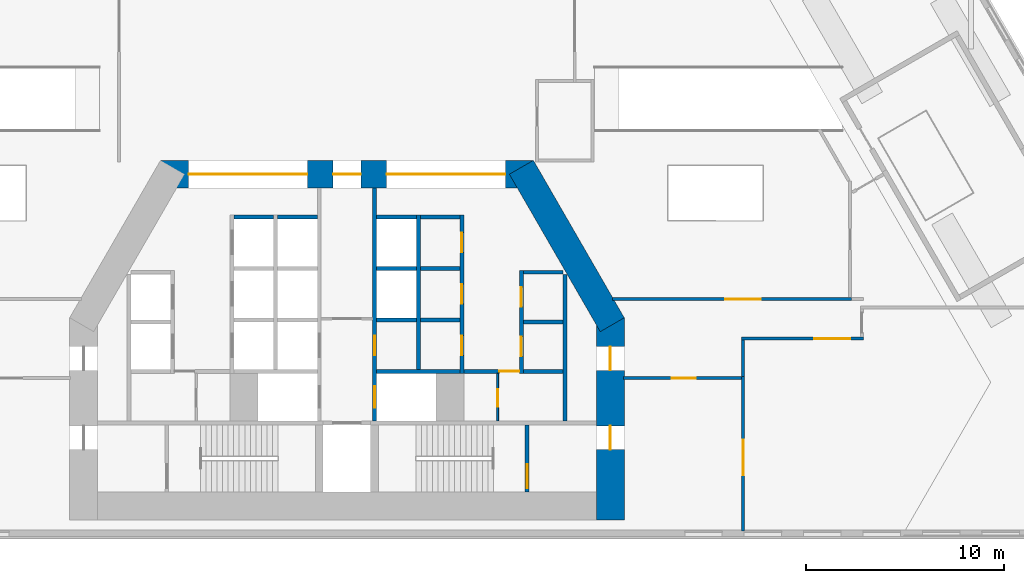
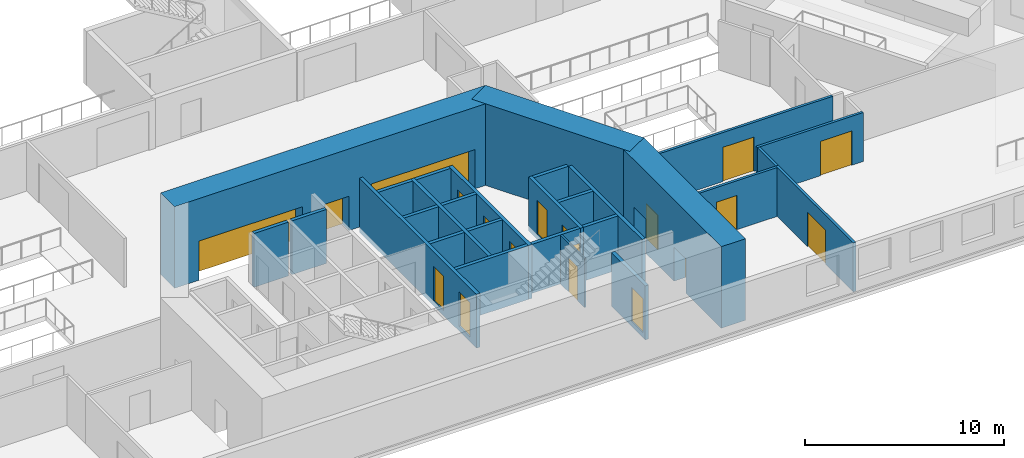
# One storey, part 9 of 19: 28 walls, 19 doors, 19 openings.
"""IFC4 building model written with IfcOpenShell, lengths in metres."""

from ifc_helpers import new_model, si_unit, direction, frame, frame_2d, origin, place, context, subcontext, project, spatial, rectangle, extrude, material, layer, layer_set, type_object, element, fill, save


model = new_model("IFC4")

# Units and contexts
model_context = context("Model", 3, precision=1e-05, world=origin(), true_north=direction((0.0, 1.0)))
body_context = subcontext(model_context, "Body", "Model", "MODEL_VIEW")
ifc_project = project(units=[si_unit("LENGTHUNIT", "METRE"), si_unit("AREAUNIT", "SQUARE_METRE"), si_unit("VOLUMEUNIT", "CUBIC_METRE"), si_unit("PLANEANGLEUNIT", "RADIAN"), si_unit("MASSUNIT", "GRAM", prefix="KILO")], contexts=[model_context])

# Site, building, storey
site_placement = place(None, origin())
site = spatial("IfcSite", under=ifc_project, at=site_placement, CompositionType="ELEMENT")
building_placement = place(site_placement, origin())
building = spatial("IfcBuilding", under=site, at=building_placement, Name="Fogline Exchange Tower", CompositionType="ELEMENT")
storey_placement = place(building_placement, frame((0.0, 0.0, 20.0)))
storey = spatial("IfcBuildingStorey", under=building, at=storey_placement, Name="L03", CompositionType="ELEMENT", Elevation=20.0)

# Wall, opening, door
ifc_material_1 = material(Name="Blockwork partition", Category="masonry")
ifc_layer_1 = layer(ifc_material_1, 0.10009765625)
ifc_layer_set_1 = layer_set([ifc_layer_1], Name="CW10")
wall_type_1 = type_object("IfcWallType", Name="CW10", PredefinedType="PARTITIONING", material=ifc_layer_set_1)
wall_1_placement = place(storey_placement, frame((7.60009765625, 5.85009765625, 0.0), z_axis=(0.0, 0.0, 1.0), x_axis=(0.0, 1.0, 0.0)))
wall_1 = element("IfcWall", 1, at=wall_1_placement, inside=storey, type_object=wall_type_1, Name="WC partition", PredefinedType="PARTITIONING", context=body_context, shape_type="SweptSolid", body=[
    extrude(rectangle(XDim=2.39990234375, YDim=0.10009765625, at=frame_2d((1.199951171875, 0.0))), origin(), (0.0, 0.0, 1.0), 3.0),
])
opening_1_placement = place(wall_1_placement, frame((0.699951171875, 0.0, 0.0)))
opening_1 = element("IfcOpeningElement", 2, at=opening_1_placement, cuts=wall_1, Name="Opening P03-C013", PredefinedType="OPENING", context=body_context, shape_type="SweptSolid", body=[
    extrude(rectangle(XDim=0.89990234375, YDim=2.10009765625, at=frame_2d((0.449951171875, 1.050048828125))), frame((0.0, 0.06005859375, 0.0), z_axis=(0.0, -1.0, 0.0), x_axis=(1.0, 0.0, 0.0)), (0.0, 0.0, 1.0), 0.1201171875),
])
ifc_material_2 = material(Name="Steel and timber fire door", Category="steel")
door_type_1 = type_object("IfcDoorType", Name="D-CS1", OperationType="SINGLE_SWING_RIGHT", PredefinedType="DOOR", material=ifc_material_2)
door_1_placement = place(opening_1_placement, origin())
door_1 = element("IfcDoor", 3, at=door_1_placement, inside=storey, type_object=door_type_1, Name="Door to Cleaner's Store", OperationType="SINGLE_SWING_LEFT", OverallHeight=2.10009765625, OverallWidth=0.89990234375, PredefinedType="DOOR", context=body_context, shape_type="SweptSolid", body=[
    extrude(rectangle(XDim=0.89990234375, YDim=2.10009765625, at=frame_2d((0.449951171875, 1.050048828125))), frame((0.0, 0.02490234375, 0.0), z_axis=(0.0, -1.0, 0.0), x_axis=(1.0, 0.0, 0.0)), (0.0, 0.0, 1.0), 0.050048828125),
])
fill(opening_1, door_1)

# Wall
ifc_material_3 = material(Name="Concrete C40", Category="concrete")
ifc_layer_2 = layer(ifc_material_3, 0.199951171875)
ifc_layer_set_2 = layer_set([ifc_layer_2], Name="CW20")
wall_type_2 = type_object("IfcWallType", Name="CW20", PredefinedType="SOLIDWALL", material=ifc_layer_set_2)
wall_2_placement = place(storey_placement, frame((11.0, 5.85009765625, 0.0), z_axis=(0.0, 0.0, 1.0), x_axis=(0.0, 1.0, 0.0)))
element("IfcWall", 4, at=wall_2_placement, inside=storey, type_object=wall_type_2, Name="Service room wall", PredefinedType="SOLIDWALL", context=body_context, shape_type="SweptSolid", body=[
    extrude(rectangle(XDim=7.39990234375, YDim=0.199951171875, at=frame_2d((3.699951171875, 0.0))), origin(), (0.0, 0.0, 1.0), 3.0),
])

# Wall, opening, door
wall_3_placement = place(storey_placement, frame((5.89990234375, 8.35009765625, 0.0), z_axis=(0.0, 0.0, 1.0), x_axis=(1.0, 0.0, 0.0)))
wall_3 = element("IfcWall", 5, at=wall_3_placement, inside=storey, type_object=wall_type_2, Name="WC wall", PredefinedType="SOLIDWALL", context=body_context, shape_type="SweptSolid", body=[
    extrude(rectangle(XDim=2.800048828125, YDim=0.199951171875, at=frame_2d((1.39990234375, 0.0))), origin(), (0.0, 0.0, 1.0), 3.0),
])
opening_2_placement = place(wall_3_placement, frame((1.800048828125, 0.0, 0.0)))
opening_2 = element("IfcOpeningElement", 6, at=opening_2_placement, cuts=wall_3, Name="Opening P03-C012", PredefinedType="OPENING", context=body_context, shape_type="SweptSolid", body=[
    extrude(rectangle(XDim=1.0, YDim=2.10009765625, at=frame_2d((0.5, 1.050048828125))), frame((0.0, 0.10986328125, 0.0), z_axis=(0.0, -1.0, 0.0), x_axis=(1.0, 0.0, 0.0)), (0.0, 0.0, 1.0), 0.219970703125),
])
door_type_2 = type_object("IfcDoorType", Name="D-WC1", OperationType="SINGLE_SWING_LEFT", PredefinedType="DOOR", material=ifc_material_2)
door_2_placement = place(opening_2_placement, frame((1.0, 0.0, 0.0), z_axis=(0.0, 0.0, 1.0), x_axis=(-1.0, 0.0, 0.0)))
door_2 = element("IfcDoor", 7, at=door_2_placement, inside=storey, type_object=door_type_2, Name="Door to Women's WC", OperationType="SINGLE_SWING_LEFT", OverallHeight=2.10009765625, OverallWidth=1.0, PredefinedType="DOOR", context=body_context, shape_type="SweptSolid", body=[
    extrude(rectangle(XDim=1.0, YDim=2.10009765625, at=frame_2d((0.5, 1.050048828125))), frame((0.0, 0.02490234375, 0.0), z_axis=(0.0, -1.0, 0.0), x_axis=(1.0, 0.0, 0.0)), (0.0, 0.0, 1.0), 0.050048828125),
])
fill(opening_2, door_2)

ifc_layer_3 = layer(ifc_material_3, 0.199951171875)
ifc_layer_set_3 = layer_set([ifc_layer_3], Name="CW20R")
wall_type_3 = type_object("IfcWallType", Name="CW20R", PredefinedType="SOLIDWALL", material=ifc_layer_set_3)
wall_4_placement = place(storey_placement, frame((9.10009765625, 2.25, -0.300048828125), z_axis=(0.0, 0.0, 1.0), x_axis=(0.0, 1.0, 0.0)))
wall_4 = element("IfcWall", 8, at=wall_4_placement, inside=storey, type_object=wall_type_3, Name="Stair enclosure wall", PredefinedType="SOLIDWALL", context=body_context, shape_type="SweptSolid", body=[
    extrude(rectangle(XDim=3.39990234375, YDim=0.199951171875, at=frame_2d((1.699951171875, 0.0))), origin(), (0.0, 0.0, 1.0), 3.300048828125),
])
opening_3_placement = place(wall_4_placement, frame((0.199951171875, 0.0, 0.300048828125)))
opening_3 = element("IfcOpeningElement", 9, at=opening_3_placement, cuts=wall_4, Name="Opening P03-C015", PredefinedType="OPENING", context=body_context, shape_type="SweptSolid", body=[
    extrude(rectangle(XDim=1.199951171875, YDim=2.10009765625, at=frame_2d((0.60009765625, 1.050048828125))), frame((0.0, 0.10986328125, 0.0), z_axis=(0.0, -1.0, 0.0), x_axis=(1.0, 0.0, 0.0)), (0.0, 0.0, 1.0), 0.219970703125),
])
door_type_3 = type_object("IfcDoorType", Name="D-ST1", OperationType="SINGLE_SWING_LEFT", PredefinedType="DOOR", material=ifc_material_2)
door_3_placement = place(opening_3_placement, origin())
door_3 = element("IfcDoor", 10, at=door_3_placement, inside=storey, type_object=door_type_3, Name="Stair door ST2", OperationType="SINGLE_SWING_LEFT", OverallHeight=2.10009765625, OverallWidth=1.199951171875, PredefinedType="DOOR", context=body_context, shape_type="SweptSolid", body=[
    extrude(rectangle(XDim=1.199951171875, YDim=2.10009765625, at=frame_2d((0.60009765625, 1.050048828125))), frame((0.0, 0.02490234375, 0.0), z_axis=(0.0, -1.0, 0.0), x_axis=(1.0, 0.0, 0.0)), (0.0, 0.0, 1.0), 0.050048828125),
])
fill(opening_3, door_3)

# Wall, openings, doors
ifc_layer_4 = layer(ifc_material_3, 0.199951171875)
ifc_layer_set_4 = layer_set([ifc_layer_4], Name="CW20S")
wall_type_4 = type_object("IfcWallType", Name="CW20S", PredefinedType="SOLIDWALL", material=ifc_layer_set_4)
wall_5_placement = place(storey_placement, frame((8.800048828125, 8.25, -0.300048828125), z_axis=(0.0, 0.0, 1.0), x_axis=(0.0, 1.0, 0.0)))
wall_5 = element("IfcWall", 11, at=wall_5_placement, inside=storey, type_object=wall_type_4, Name="Lift shaft wall", PredefinedType="SOLIDWALL", context=body_context, shape_type="SweptSolid", body=[
    extrude(rectangle(XDim=5.199951171875, YDim=0.199951171875, at=frame_2d((2.60009765625, 0.0))), origin(), (0.0, 0.0, 1.0), 3.300048828125),
])
opening_4_placement = place(wall_5_placement, frame((0.85009765625, 0.0, 0.300048828125)))
opening_4 = element("IfcOpeningElement", 12, at=opening_4_placement, cuts=wall_5, Name="Opening P03-C001", PredefinedType="OPENING", context=body_context, shape_type="SweptSolid", body=[
    extrude(rectangle(XDim=1.0, YDim=2.10009765625, at=frame_2d((0.5, 1.050048828125))), frame((0.0, 0.10986328125, 0.0), z_axis=(0.0, -1.0, 0.0), x_axis=(1.0, 0.0, 0.0)), (0.0, 0.0, 1.0), 0.219970703125),
])
opening_5_placement = place(wall_5_placement, frame((3.35009765625, 0.0, 0.300048828125)))
opening_5 = element("IfcOpeningElement", 13, at=opening_5_placement, cuts=wall_5, Name="Opening P03-C002", PredefinedType="OPENING", context=body_context, shape_type="SweptSolid", body=[
    extrude(rectangle(XDim=1.0, YDim=2.10009765625, at=frame_2d((0.5, 1.050048828125))), frame((0.0, 0.10986328125, 0.0), z_axis=(0.0, -1.0, 0.0), x_axis=(1.0, 0.0, 0.0)), (0.0, 0.0, 1.0), 0.219970703125),
])
door_type_4 = type_object("IfcDoorType", Name="D-RM1", OperationType="SINGLE_SWING_LEFT", PredefinedType="DOOR", material=ifc_material_2)
door_4_placement = place(opening_4_placement, frame((1.0, 0.0, 0.0), z_axis=(0.0, 0.0, 1.0), x_axis=(-1.0, 0.0, 0.0)))
door_4 = element("IfcDoor", 14, at=door_4_placement, inside=storey, type_object=door_type_4, Name="Door to Riser Room", OperationType="SINGLE_SWING_LEFT", OverallHeight=2.10009765625, OverallWidth=1.0, PredefinedType="DOOR", context=body_context, shape_type="SweptSolid", body=[
    extrude(rectangle(XDim=1.0, YDim=2.10009765625, at=frame_2d((0.5, 1.050048828125))), frame((0.0, 0.02490234375, 0.0), z_axis=(0.0, -1.0, 0.0), x_axis=(1.0, 0.0, 0.0)), (0.0, 0.0, 1.0), 0.050048828125),
])
fill(opening_4, door_4)
door_5_placement = place(opening_5_placement, frame((1.0, 0.0, 0.0), z_axis=(0.0, 0.0, 1.0), x_axis=(-1.0, 0.0, 0.0)))
door_5 = element("IfcDoor", 15, at=door_5_placement, inside=storey, type_object=door_type_4, Name="Door to Plant Room", OperationType="SINGLE_SWING_LEFT", OverallHeight=2.10009765625, OverallWidth=1.0, PredefinedType="DOOR", context=body_context, shape_type="SweptSolid", body=[
    extrude(rectangle(XDim=1.0, YDim=2.10009765625, at=frame_2d((0.5, 1.050048828125))), frame((0.0, 0.02490234375, 0.0), z_axis=(0.0, -1.0, 0.0), x_axis=(1.0, 0.0, 0.0)), (0.0, 0.0, 1.0), 0.050048828125),
])
fill(opening_5, door_5)

wall_6_placement = place(storey_placement, frame((5.800048828125, 8.25, -0.300048828125), z_axis=(0.0, 0.0, 1.0), x_axis=(0.0, 1.0, 0.0)))
wall_6 = element("IfcWall", 16, at=wall_6_placement, inside=storey, type_object=wall_type_4, Name="Lift shaft wall", PredefinedType="SOLIDWALL", context=body_context, shape_type="SweptSolid", body=[
    extrude(rectangle(XDim=8.0, YDim=0.199951171875, at=frame_2d((4.0, 0.0))), origin(), (0.0, 0.0, 1.0), 3.300048828125),
])
opening_6_placement = place(wall_6_placement, frame((0.89990234375, 0.0, 0.300048828125)))
opening_6 = element("IfcOpeningElement", 17, at=opening_6_placement, cuts=wall_6, Name="Opening P03-C003", PredefinedType="OPENING", context=body_context, shape_type="SweptSolid", body=[
    extrude(rectangle(XDim=1.0, YDim=2.10009765625, at=frame_2d((0.5, 1.050048828125))), frame((0.0, 0.10986328125, 0.0), z_axis=(0.0, -1.0, 0.0), x_axis=(1.0, 0.0, 0.0)), (0.0, 0.0, 1.0), 0.219970703125),
])
opening_7_placement = place(wall_6_placement, frame((3.5, 0.0, 0.300048828125)))
opening_7 = element("IfcOpeningElement", 18, at=opening_7_placement, cuts=wall_6, Name="Opening P03-C004", PredefinedType="OPENING", context=body_context, shape_type="SweptSolid", body=[
    extrude(rectangle(XDim=1.0, YDim=2.10009765625, at=frame_2d((0.5, 1.050048828125))), frame((0.0, 0.10986328125, 0.0), z_axis=(0.0, -1.0, 0.0), x_axis=(1.0, 0.0, 0.0)), (0.0, 0.0, 1.0), 0.219970703125),
])
opening_8_placement = place(wall_6_placement, frame((6.10009765625, 0.0, 0.300048828125)))
opening_8 = element("IfcOpeningElement", 19, at=opening_8_placement, cuts=wall_6, Name="Opening P03-C005", PredefinedType="OPENING", context=body_context, shape_type="SweptSolid", body=[
    extrude(rectangle(XDim=1.0, YDim=2.10009765625, at=frame_2d((0.5, 1.050048828125))), frame((0.0, 0.10986328125, 0.0), z_axis=(0.0, -1.0, 0.0), x_axis=(1.0, 0.0, 0.0)), (0.0, 0.0, 1.0), 0.219970703125),
])
door_6_placement = place(opening_6_placement, origin())
door_6 = element("IfcDoor", 20, at=door_6_placement, inside=storey, type_object=door_type_4, Name="Door to Cable Store", OperationType="SINGLE_SWING_RIGHT", OverallHeight=2.10009765625, OverallWidth=1.0, PredefinedType="DOOR", context=body_context, shape_type="SweptSolid", body=[
    extrude(rectangle(XDim=1.0, YDim=2.10009765625, at=frame_2d((0.5, 1.050048828125))), frame((0.0, 0.02490234375, 0.0), z_axis=(0.0, -1.0, 0.0), x_axis=(1.0, 0.0, 0.0)), (0.0, 0.0, 1.0), 0.050048828125),
])
fill(opening_6, door_6)
door_7_placement = place(opening_7_placement, origin())
door_7 = element("IfcDoor", 21, at=door_7_placement, inside=storey, type_object=door_type_4, Name="Door to Server Room", OperationType="SINGLE_SWING_LEFT", OverallHeight=2.10009765625, OverallWidth=1.0, PredefinedType="DOOR", context=body_context, shape_type="SweptSolid", body=[
    extrude(rectangle(XDim=1.0, YDim=2.10009765625, at=frame_2d((0.5, 1.050048828125))), frame((0.0, 0.02490234375, 0.0), z_axis=(0.0, -1.0, 0.0), x_axis=(1.0, 0.0, 0.0)), (0.0, 0.0, 1.0), 0.050048828125),
])
fill(opening_7, door_7)
door_8_placement = place(opening_8_placement, origin())
door_8 = element("IfcDoor", 22, at=door_8_placement, inside=storey, type_object=door_type_4, Name="Door to Archive Store", OperationType="SINGLE_SWING_LEFT", OverallHeight=2.10009765625, OverallWidth=1.0, PredefinedType="DOOR", context=body_context, shape_type="SweptSolid", body=[
    extrude(rectangle(XDim=1.0, YDim=2.10009765625, at=frame_2d((0.5, 1.050048828125))), frame((0.0, 0.02490234375, 0.0), z_axis=(0.0, -1.0, 0.0), x_axis=(1.0, 0.0, 0.0)), (0.0, 0.0, 1.0), 0.050048828125),
])
fill(opening_8, door_8)

# Wall
wall_7_placement = place(storey_placement, frame((3.60009765625, 8.449951171875, -0.300048828125), z_axis=(0.0, 0.0, 1.0), x_axis=(0.0, 1.0, 0.0)))
element("IfcWall", 23, at=wall_7_placement, inside=storey, type_object=wall_type_4, Name="Lift shaft wall", PredefinedType="SOLIDWALL", context=body_context, shape_type="SweptSolid", body=[
    extrude(rectangle(XDim=7.800048828125, YDim=0.199951171875, at=frame_2d((3.89990234375, 0.0))), origin(), (0.0, 0.0, 1.0), 3.300048828125),
])

# Wall, openings, doors
wall_8_placement = place(storey_placement, frame((1.39990234375, 5.85009765625, -0.300048828125), z_axis=(0.0, 0.0, 1.0), x_axis=(0.0, 1.0, 0.0)))
wall_8 = element("IfcWall", 24, at=wall_8_placement, inside=storey, type_object=wall_type_4, Name="Lift lobby wall", PredefinedType="SOLIDWALL", context=body_context, shape_type="SweptSolid", body=[
    extrude(rectangle(XDim=11.75, YDim=0.199951171875, at=frame_2d((5.875, 0.0))), origin(), (0.0, 0.0, 1.0), 3.300048828125),
])
opening_9_placement = place(wall_8_placement, frame((0.64990234375, 0.0, 0.300048828125)))
opening_9 = element("IfcOpeningElement", 25, at=opening_9_placement, cuts=wall_8, Name="Opening P03-LD08", PredefinedType="OPENING", context=body_context, shape_type="SweptSolid", body=[
    extrude(rectangle(XDim=1.10009765625, YDim=2.10009765625, at=frame_2d((0.550048828125, 1.050048828125))), frame((0.0, 0.10986328125, 0.0), z_axis=(0.0, -1.0, 0.0), x_axis=(1.0, 0.0, 0.0)), (0.0, 0.0, 1.0), 0.219970703125),
])
opening_10_placement = place(wall_8_placement, frame((3.300048828125, 0.0, 0.300048828125)))
opening_10 = element("IfcOpeningElement", 26, at=opening_10_placement, cuts=wall_8, Name="Opening P03-C006", PredefinedType="OPENING", context=body_context, shape_type="SweptSolid", body=[
    extrude(rectangle(XDim=1.0, YDim=2.10009765625, at=frame_2d((0.5, 1.050048828125))), frame((0.0, 0.10986328125, 0.0), z_axis=(0.0, -1.0, 0.0), x_axis=(1.0, 0.0, 0.0)), (0.0, 0.0, 1.0), 0.219970703125),
])
door_9_placement = place(opening_10_placement, frame((1.0, 0.0, 0.0), z_axis=(0.0, 0.0, 1.0), x_axis=(-1.0, 0.0, 0.0)))
door_9 = element("IfcDoor", 27, at=door_9_placement, inside=storey, type_object=door_type_4, Name="Door to Library Store", OperationType="SINGLE_SWING_RIGHT", OverallHeight=2.10009765625, OverallWidth=1.0, PredefinedType="DOOR", context=body_context, shape_type="SweptSolid", body=[
    extrude(rectangle(XDim=1.0, YDim=2.10009765625, at=frame_2d((0.5, 1.050048828125))), frame((0.0, 0.02490234375, 0.0), z_axis=(0.0, -1.0, 0.0), x_axis=(1.0, 0.0, 0.0)), (0.0, 0.0, 1.0), 0.050048828125),
])
fill(opening_10, door_9)
door_type_5 = type_object("IfcDoorType", Name="LD2", OperationType="SLIDING_TO_RIGHT", PredefinedType="DOOR", material=ifc_material_2)
door_10_placement = place(opening_9_placement, origin())
door_10 = element("IfcDoor", 28, at=door_10_placement, inside=storey, type_object=door_type_5, Name="Landing door FF2", OperationType="SLIDING_TO_RIGHT", OverallHeight=2.10009765625, OverallWidth=1.10009765625, PredefinedType="DOOR", context=body_context, shape_type="SweptSolid", body=[
    extrude(rectangle(XDim=1.10009765625, YDim=2.10009765625, at=frame_2d((0.550048828125, 1.050048828125))), frame((0.0, 0.02490234375, 0.0), z_axis=(0.0, -1.0, 0.0), x_axis=(1.0, 0.0, 0.0)), (0.0, 0.0, 1.0), 0.050048828125),
])
fill(opening_9, door_10)

# Walls
wall_9_placement = place(storey_placement, frame((8.89990234375, 8.35009765625, -0.300048828125), z_axis=(0.0, 0.0, 1.0), x_axis=(1.0, 0.0, 0.0)))
element("IfcWall", 29, at=wall_9_placement, inside=storey, type_object=wall_type_4, Name="Lift shaft wall", PredefinedType="SOLIDWALL", context=body_context, shape_type="SweptSolid", body=[
    extrude(rectangle(XDim=2.0, YDim=0.199951171875, at=frame_2d((1.0, 0.0))), origin(), (0.0, 0.0, 1.0), 3.300048828125),
])
wall_10_placement = place(storey_placement, frame((1.5, 8.35009765625, -0.300048828125), z_axis=(0.0, 0.0, 1.0), x_axis=(1.0, 0.0, 0.0)))
element("IfcWall", 30, at=wall_10_placement, inside=storey, type_object=wall_type_4, Name="Lift shaft wall", PredefinedType="SOLIDWALL", context=body_context, shape_type="SweptSolid", body=[
    extrude(rectangle(XDim=4.199951171875, YDim=0.199951171875, at=frame_2d((2.10009765625, 0.0))), origin(), (0.0, 0.0, 1.0), 3.300048828125),
])
for number, where, z_axis, x_axis, name in (
    (31, (-5.699951171875, 16.14990234375, -0.300048828125), (0.0, 0.0, 1.0), (1.0, 0.0, 0.0), "Lift shaft wall"),
    (32, (-3.5, 16.14990234375, -0.300048828125), (0.0, 0.0, 1.0), (1.0, 0.0, 0.0), "Lift shaft wall"),
    (33, (8.89990234375, 10.85009765625, -0.300048828125), (0.0, 0.0, 1.0), (1.0, 0.0, 0.0), "Lift shaft wall"),
    (34, (8.89990234375, 13.35009765625, -0.300048828125), (0.0, 0.0, 1.0), (1.0, 0.0, 0.0), "Lift shaft wall"),
    (35, (3.699951171875, 10.949951171875, -0.300048828125), (0.0, 0.0, 1.0), (1.0, 0.0, 0.0), "Lift shaft wall"),
    (36, (3.699951171875, 13.550048828125, -0.300048828125), (0.0, 0.0, 1.0), (1.0, 0.0, 0.0), "Lift shaft wall"),
    (37, (3.699951171875, 16.14990234375, -0.300048828125), (0.0, 0.0, 1.0), (1.0, 0.0, 0.0), "Lift shaft wall"),
    (38, (1.5, 10.949951171875, -0.300048828125), (0.0, 0.0, 1.0), (1.0, 0.0, 0.0), "Lift shaft wall"),
    (39, (1.5, 13.550048828125, -0.300048828125), (0.0, 0.0, 1.0), (1.0, 0.0, 0.0), "Lift shaft wall"),
    (40, (1.5, 16.14990234375, -0.300048828125), (0.0, 0.0, 1.0), (1.0, 0.0, 0.0), "Lift shaft wall"),
):
    element("IfcWall", number, at=place(storey_placement, frame(where, z_axis=z_axis, x_axis=x_axis)), inside=storey, type_object=wall_type_4, Name=name, PredefinedType="SOLIDWALL", context=body_context, shape_type="SweptSolid", body=[
        extrude(rectangle(XDim=2.0, YDim=0.199951171875, at=frame_2d((1.0, 0.0))), origin(), (0.0, 0.0, 1.0), 3.300048828125),
    ])

# Wall, opening, door
ifc_material_4 = material(Name="Plasterboard on steel stud", Category="steel")
ifc_layer_5 = layer(ifc_material_4, 0.14990234375)
ifc_layer_set_5 = layer_set([ifc_layer_5], Name="PP1")
wall_type_5 = type_object("IfcWallType", Name="PP1", PredefinedType="PARTITIONING", material=ifc_layer_set_5)
wall_11_placement = place(storey_placement, frame((20.0, 0.294921875, 0.0), z_axis=(0.0, 0.0, 1.0), x_axis=(0.0, 1.0, 0.0)))
wall_11 = element("IfcWall", 41, at=wall_11_placement, inside=storey, type_object=wall_type_5, Name="PP1 partition", PredefinedType="PARTITIONING", context=body_context, shape_type="SweptSolid", body=[
    extrude(rectangle(XDim=7.780029296875, YDim=0.14990234375, at=frame_2d((3.89013671875, 0.0))), origin(), (0.0, 0.0, 1.0), 3.0),
])
opening_11_placement = place(wall_11_placement, frame((2.804931640625, 0.0, 0.0)))
opening_11 = element("IfcOpeningElement", 42, at=opening_11_placement, cuts=wall_11, Name="Opening P03-D014", PredefinedType="OPENING", context=body_context, shape_type="SweptSolid", body=[
    extrude(rectangle(XDim=1.800048828125, YDim=2.10009765625, at=frame_2d((0.89990234375, 1.050048828125))), frame((0.0, 0.0849609375, 0.0), z_axis=(0.0, -1.0, 0.0), x_axis=(1.0, 0.0, 0.0)), (0.0, 0.0, 1.0), 0.169921875),
])
ifc_material_5 = material(Name="Timber", Category="wood")
door_type_6 = type_object("IfcDoorType", Name="PD3", OperationType="DOUBLE_DOOR_SINGLE_SWING", PredefinedType="DOOR", material=ifc_material_5)
door_11_placement = place(opening_11_placement, frame((1.800048828125, 0.0, 0.0), z_axis=(0.0, 0.0, 1.0), x_axis=(-1.0, 0.0, 0.0)))
door_11 = element("IfcDoor", 43, at=door_11_placement, inside=storey, type_object=door_type_6, Name="P03-D014", OperationType="DOUBLE_DOOR_SINGLE_SWING", OverallHeight=2.10009765625, OverallWidth=1.800048828125, PredefinedType="DOOR", context=body_context, shape_type="SweptSolid", body=[
    extrude(rectangle(XDim=1.800048828125, YDim=2.10009765625, at=frame_2d((0.89990234375, 1.050048828125))), frame((0.0, 0.02490234375, 0.0), z_axis=(0.0, -1.0, 0.0), x_axis=(1.0, 0.0, 0.0)), (0.0, 0.0, 1.0), 0.050048828125),
])
fill(opening_11, door_11)

wall_12_placement = place(storey_placement, frame((13.955078125, 8.0, 0.0), z_axis=(0.0, 0.0, 1.0), x_axis=(1.0, 0.0, 0.0)))
wall_12 = element("IfcWall", 44, at=wall_12_placement, inside=storey, type_object=wall_type_5, Name="PP1 partition", PredefinedType="PARTITIONING", context=body_context, shape_type="SweptSolid", body=[
    extrude(rectangle(XDim=5.969970703125, YDim=0.14990234375, at=frame_2d((2.98486328125, 0.0))), origin(), (0.0, 0.0, 1.0), 3.0),
])
opening_12_placement = place(wall_12_placement, frame((2.445068359375, 0.0, 0.0)))
opening_12 = element("IfcOpeningElement", 45, at=opening_12_placement, cuts=wall_12, Name="Opening P03-D009", PredefinedType="OPENING", context=body_context, shape_type="SweptSolid", body=[
    extrude(rectangle(XDim=1.199951171875, YDim=2.10009765625, at=frame_2d((0.60009765625, 1.050048828125))), frame((0.0, 0.0849609375, 0.0), z_axis=(0.0, -1.0, 0.0), x_axis=(1.0, 0.0, 0.0)), (0.0, 0.0, 1.0), 0.169921875),
])
ifc_material_6 = material(Name="Steel Q235B", Category="steel")
door_type_7 = type_object("IfcDoorType", Name="PD7", OperationType="SINGLE_SWING_LEFT", PredefinedType="DOOR", material=ifc_material_6)
door_12_placement = place(opening_12_placement, origin())
door_12 = element("IfcDoor", 46, at=door_12_placement, inside=storey, type_object=door_type_7, Name="P03-D009", OperationType="SINGLE_SWING_RIGHT", OverallHeight=2.10009765625, OverallWidth=1.199951171875, PredefinedType="DOOR", context=body_context, shape_type="SweptSolid", body=[
    extrude(rectangle(XDim=1.199951171875, YDim=2.10009765625, at=frame_2d((0.60009765625, 1.050048828125))), frame((0.0, 0.02490234375, 0.0), z_axis=(0.0, -1.0, 0.0), x_axis=(1.0, 0.0, 0.0)), (0.0, 0.0, 1.0), 0.050048828125),
])
fill(opening_12, door_12)

# Wall
wall_13_placement = place(storey_placement, frame((20.0, 8.074951171875, 0.0), z_axis=(0.0, 0.0, 1.0), x_axis=(0.0, 1.0, 0.0)))
element("IfcWall", 47, at=wall_13_placement, inside=storey, type_object=wall_type_5, Name="PP1 partition", PredefinedType="PARTITIONING", context=body_context, shape_type="SweptSolid", body=[
    extrude(rectangle(XDim=1.85009765625, YDim=0.14990234375, at=frame_2d((0.925048828125, 0.0))), origin(), (0.0, 0.0, 1.0), 3.0),
])

# Wall, opening, door
wall_14_placement = place(storey_placement, frame((19.925048828125, 10.0, 0.0), z_axis=(0.0, 0.0, 1.0), x_axis=(1.0, 0.0, 0.0)))
wall_14 = element("IfcWall", 48, at=wall_14_placement, inside=storey, type_object=wall_type_5, Name="PP1 partition", PredefinedType="PARTITIONING", context=body_context, shape_type="SweptSolid", body=[
    extrude(rectangle(XDim=6.14990234375, YDim=0.14990234375, at=frame_2d((3.074951171875, 0.0))), origin(), (0.0, 0.0, 1.0), 3.0),
])
opening_13_placement = place(wall_14_placement, frame((3.675048828125, 0.0, 0.0)))
opening_13 = element("IfcOpeningElement", 49, at=opening_13_placement, cuts=wall_14, Name="Opening P03-D015", PredefinedType="OPENING", context=body_context, shape_type="SweptSolid", body=[
    extrude(rectangle(XDim=1.800048828125, YDim=2.10009765625, at=frame_2d((0.89990234375, 1.050048828125))), frame((0.0, 0.0849609375, 0.0), z_axis=(0.0, -1.0, 0.0), x_axis=(1.0, 0.0, 0.0)), (0.0, 0.0, 1.0), 0.169921875),
])
door_13_placement = place(opening_13_placement, frame((1.800048828125, 0.0, 0.0), z_axis=(0.0, 0.0, 1.0), x_axis=(-1.0, 0.0, 0.0)))
door_13 = element("IfcDoor", 50, at=door_13_placement, inside=storey, type_object=door_type_6, Name="P03-D015", OperationType="DOUBLE_DOOR_SINGLE_SWING", OverallHeight=2.10009765625, OverallWidth=1.800048828125, PredefinedType="DOOR", context=body_context, shape_type="SweptSolid", body=[
    extrude(rectangle(XDim=1.800048828125, YDim=2.10009765625, at=frame_2d((0.89990234375, 1.050048828125))), frame((0.0, 0.02490234375, 0.0), z_axis=(0.0, -1.0, 0.0), x_axis=(1.0, 0.0, 0.0)), (0.0, 0.0, 1.0), 0.050048828125),
])
fill(opening_13, door_13)

wall_15_placement = place(storey_placement, frame((13.41259765625, 12.0, 0.0), z_axis=(0.0, 0.0, 1.0), x_axis=(1.0, 0.0, 0.0)))
wall_15 = element("IfcWall", 51, at=wall_15_placement, inside=storey, type_object=wall_type_5, Name="PP1 partition", PredefinedType="PARTITIONING", context=body_context, shape_type="SweptSolid", body=[
    extrude(rectangle(XDim=12.0625, YDim=0.14990234375, at=frame_2d((6.03125, 0.0))), origin(), (0.0, 0.0, 1.0), 3.0),
])
opening_14_placement = place(wall_15_placement, frame((5.6875, 0.0, 0.0)))
opening_14 = element("IfcOpeningElement", 52, at=opening_14_placement, cuts=wall_15, Name="Opening P03-D011", PredefinedType="OPENING", context=body_context, shape_type="SweptSolid", body=[
    extrude(rectangle(XDim=1.800048828125, YDim=2.10009765625, at=frame_2d((0.89990234375, 1.050048828125))), frame((0.0, 0.0849609375, 0.0), z_axis=(0.0, -1.0, 0.0), x_axis=(1.0, 0.0, 0.0)), (0.0, 0.0, 1.0), 0.169921875),
])
door_14_placement = place(opening_14_placement, frame((1.800048828125, 0.0, 0.0), z_axis=(0.0, 0.0, 1.0), x_axis=(-1.0, 0.0, 0.0)))
door_14 = element("IfcDoor", 53, at=door_14_placement, inside=storey, type_object=door_type_6, Name="P03-D011", OperationType="DOUBLE_DOOR_SINGLE_SWING", OverallHeight=2.10009765625, OverallWidth=1.800048828125, PredefinedType="DOOR", context=body_context, shape_type="SweptSolid", body=[
    extrude(rectangle(XDim=1.800048828125, YDim=2.10009765625, at=frame_2d((0.89990234375, 1.050048828125))), frame((0.0, 0.02490234375, 0.0), z_axis=(0.0, -1.0, 0.0), x_axis=(1.0, 0.0, 0.0)), (0.0, 0.0, 1.0), 0.050048828125),
])
fill(opening_14, door_14)

# Wall, openings, doors
ifc_material_7 = material(Name="Concrete C60", Category="concrete")
ifc_layer_6 = layer(ifc_material_7, 1.39990234375)
ifc_layer_set_6 = layer_set([ifc_layer_6], Name="SW01")
wall_type_6 = type_object("IfcWallType", Name="SW01", PredefinedType="SHEAR", material=ifc_layer_set_6)
wall_16_placement = place(storey_placement, frame((13.300048828125, 0.85009765625, 0.0), z_axis=(0.0, 0.0, 1.0), x_axis=(0.0, 1.0, 0.0)))
wall_16 = element("IfcWall", 54, at=wall_16_placement, inside=storey, type_object=wall_type_6, Name="L03-W902", PredefinedType="SHEAR", context=body_context, shape_type="SweptSolid", body=[
    extrude(rectangle(XDim=10.202392578125, YDim=1.39990234375, at=frame_2d((5.10107421875, 0.0))), origin(), (0.0, 0.0, 1.0), 5.0),
])
opening_15_placement = place(wall_16_placement, frame((3.550048828125, 0.0, 0.0)))
opening_15 = element("IfcOpeningElement", 55, at=opening_15_placement, cuts=wall_16, Name="Opening P03-C014", PredefinedType="OPENING", context=body_context, shape_type="SweptSolid", body=[
    extrude(rectangle(XDim=1.199951171875, YDim=2.10009765625, at=frame_2d((0.60009765625, 1.050048828125))), frame((0.0, 0.7099609375, 0.0), z_axis=(0.0, -1.0, 0.0), x_axis=(1.0, 0.0, 0.0)), (0.0, 0.0, 1.0), 1.419921875),
])
opening_16_placement = place(wall_16_placement, frame((7.550048828125, 0.0, 0.0)))
opening_16 = element("IfcOpeningElement", 56, at=opening_16_placement, cuts=wall_16, Name="Opening P03-C016", PredefinedType="OPENING", context=body_context, shape_type="SweptSolid", body=[
    extrude(rectangle(XDim=1.199951171875, YDim=2.10009765625, at=frame_2d((0.60009765625, 1.050048828125))), frame((0.0, 0.7099609375, 0.0), z_axis=(0.0, -1.0, 0.0), x_axis=(1.0, 0.0, 0.0)), (0.0, 0.0, 1.0), 1.419921875),
])
door_type_8 = type_object("IfcDoorType", Name="D-FR1", OperationType="SINGLE_SWING_RIGHT", PredefinedType="DOOR", material=ifc_material_2)
door_15_placement = place(opening_15_placement, origin())
door_15 = element("IfcDoor", 57, at=door_15_placement, inside=storey, type_object=door_type_8, Name="Front room door ST2", OperationType="SINGLE_SWING_RIGHT", OverallHeight=2.10009765625, OverallWidth=1.199951171875, PredefinedType="DOOR", context=body_context, shape_type="SweptSolid", body=[
    extrude(rectangle(XDim=1.199951171875, YDim=2.10009765625, at=frame_2d((0.60009765625, 1.050048828125))), frame((0.0, 0.02490234375, 0.0), z_axis=(0.0, -1.0, 0.0), x_axis=(1.0, 0.0, 0.0)), (0.0, 0.0, 1.0), 0.050048828125),
])
fill(opening_15, door_15)
door_type_9 = type_object("IfcDoorType", Name="D-SV1", OperationType="SINGLE_SWING_LEFT", PredefinedType="DOOR", material=ifc_material_2)
door_16_placement = place(opening_16_placement, origin())
door_16 = element("IfcDoor", 58, at=door_16_placement, inside=storey, type_object=door_type_9, Name="Service door E", OperationType="SINGLE_SWING_RIGHT", OverallHeight=2.10009765625, OverallWidth=1.199951171875, PredefinedType="DOOR", context=body_context, shape_type="SweptSolid", body=[
    extrude(rectangle(XDim=1.199951171875, YDim=2.10009765625, at=frame_2d((0.60009765625, 1.050048828125))), frame((0.0, 0.02490234375, 0.0), z_axis=(0.0, -1.0, 0.0), x_axis=(1.0, 0.0, 0.0)), (0.0, 0.0, 1.0), 0.050048828125),
])
fill(opening_16, door_16)

# Wall
wall_17_placement = place(storey_placement, frame((13.393798828125, 10.70263671875, 0.0), z_axis=(0.0, 0.0, 1.0), x_axis=(-0.50000187635, 0.866024320471, 0.0)))
element("IfcWall", 59, at=wall_17_placement, inside=storey, type_object=wall_type_6, Name="L03-W903", PredefinedType="SHEAR", context=body_context, shape_type="SweptSolid", body=[
    extrude(rectangle(XDim=9.1767578125, YDim=1.39990234375, at=frame_2d((4.58837890625, 0.0))), origin(), (0.0, 0.0, 1.0), 5.0),
])

# Wall, openings, doors
wall_18_placement = place(storey_placement, frame((9.41162109375, 18.300048828125, 0.0), z_axis=(0.0, 0.0, 1.0), x_axis=(-1.0, 0.0, 0.0)))
wall_18 = element("IfcWall", 60, at=wall_18_placement, inside=storey, type_object=wall_type_6, Name="L03-W904", PredefinedType="SHEAR", context=body_context, shape_type="SweptSolid", body=[
    extrude(rectangle(XDim=18.8232421875, YDim=1.39990234375, at=frame_2d((9.41162109375, 0.0))), origin(), (0.0, 0.0, 1.0), 5.0),
])
opening_17_placement = place(wall_18_placement, frame((8.71142578125, 0.0, 0.0)))
opening_17 = element("IfcOpeningElement", 61, at=opening_17_placement, cuts=wall_18, Name="Opening P03-C018", PredefinedType="OPENING", context=body_context, shape_type="SweptSolid", body=[
    extrude(rectangle(XDim=1.39990234375, YDim=2.10009765625, at=frame_2d((0.699951171875, 1.050048828125))), frame((0.0, 0.7099609375, 0.0), z_axis=(0.0, -1.0, 0.0), x_axis=(1.0, 0.0, 0.0)), (0.0, 0.0, 1.0), 1.419921875),
])
opening_18_placement = place(wall_18_placement, frame((11.41162109375, 0.0, 0.0)))
opening_18 = element("IfcOpeningElement", 62, at=opening_18_placement, cuts=wall_18, Name="Opening P03-C019", PredefinedType="OPENING", context=body_context, shape_type="SweptSolid", body=[
    extrude(rectangle(XDim=6.0, YDim=2.39990234375, at=frame_2d((3.0, 1.199951171875))), frame((0.0, 0.7099609375, 0.0), z_axis=(0.0, -1.0, 0.0), x_axis=(1.0, 0.0, 0.0)), (0.0, 0.0, 1.0), 1.419921875),
])
opening_19_placement = place(wall_18_placement, frame((1.41162109375, 0.0, 0.0)))
opening_19 = element("IfcOpeningElement", 63, at=opening_19_placement, cuts=wall_18, Name="Opening P03-C020", PredefinedType="OPENING", context=body_context, shape_type="SweptSolid", body=[
    extrude(rectangle(XDim=6.0, YDim=2.39990234375, at=frame_2d((3.0, 1.199951171875))), frame((0.0, 0.7099609375, 0.0), z_axis=(0.0, -1.0, 0.0), x_axis=(1.0, 0.0, 0.0)), (0.0, 0.0, 1.0), 1.419921875),
])
door_type_10 = type_object("IfcDoorType", Name="D-LB1", OperationType="DOUBLE_DOOR_SINGLE_SWING", PredefinedType="DOOR", material=ifc_material_2)
door_17_placement = place(opening_17_placement, origin())
door_17 = element("IfcDoor", 64, at=door_17_placement, inside=storey, type_object=door_type_10, Name="Protected lobby door", OperationType="DOUBLE_DOOR_SINGLE_SWING", OverallHeight=2.10009765625, OverallWidth=1.39990234375, PredefinedType="DOOR", context=body_context, shape_type="SweptSolid", body=[
    extrude(rectangle(XDim=1.39990234375, YDim=2.10009765625, at=frame_2d((0.699951171875, 1.050048828125))), frame((0.0, 0.02490234375, 0.0), z_axis=(0.0, -1.0, 0.0), x_axis=(1.0, 0.0, 0.0)), (0.0, 0.0, 1.0), 0.050048828125),
])
fill(opening_17, door_17)
door_type_11 = type_object("IfcDoorType", Name="D-LE1", OperationType="DOUBLE_DOOR_SLIDING", PredefinedType="DOOR", material=ifc_material_2)
door_18_placement = place(opening_18_placement, origin())
door_18 = element("IfcDoor", 65, at=door_18_placement, inside=storey, type_object=door_type_11, Name="Lift lobby entrance west", OperationType="DOUBLE_DOOR_SLIDING", OverallHeight=2.39990234375, OverallWidth=6.0, PredefinedType="DOOR", context=body_context, shape_type="SweptSolid", body=[
    extrude(rectangle(XDim=6.0, YDim=2.39990234375, at=frame_2d((3.0, 1.199951171875))), frame((0.0, 0.02490234375, 0.0), z_axis=(0.0, -1.0, 0.0), x_axis=(1.0, 0.0, 0.0)), (0.0, 0.0, 1.0), 0.050048828125),
])
fill(opening_18, door_18)
door_19_placement = place(opening_19_placement, origin())
door_19 = element("IfcDoor", 66, at=door_19_placement, inside=storey, type_object=door_type_11, Name="Lift lobby entrance east", OperationType="DOUBLE_DOOR_SLIDING", OverallHeight=2.39990234375, OverallWidth=6.0, PredefinedType="DOOR", context=body_context, shape_type="SweptSolid", body=[
    extrude(rectangle(XDim=6.0, YDim=2.39990234375, at=frame_2d((3.0, 1.199951171875))), frame((0.0, 0.02490234375, 0.0), z_axis=(0.0, -1.0, 0.0), x_axis=(1.0, 0.0, 0.0)), (0.0, 0.0, 1.0), 0.050048828125),
])
fill(opening_19, door_19)

save(model, "model.ifc")
